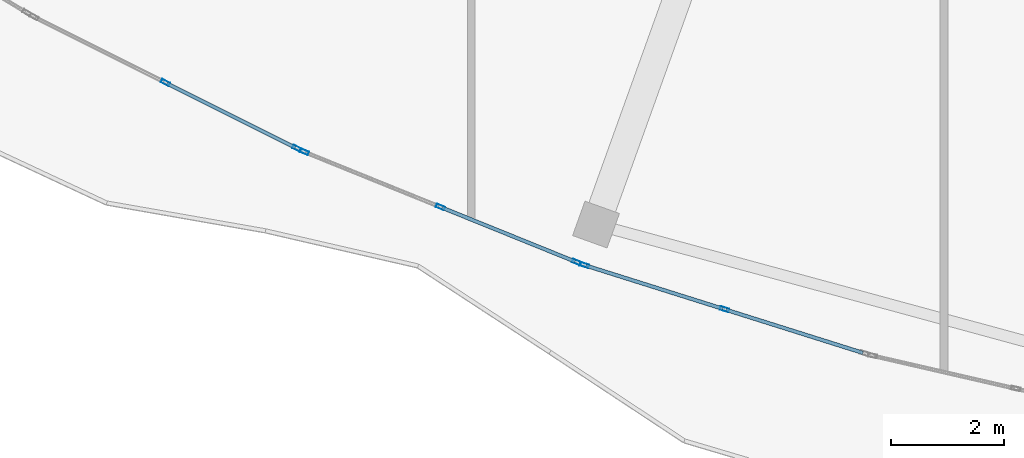
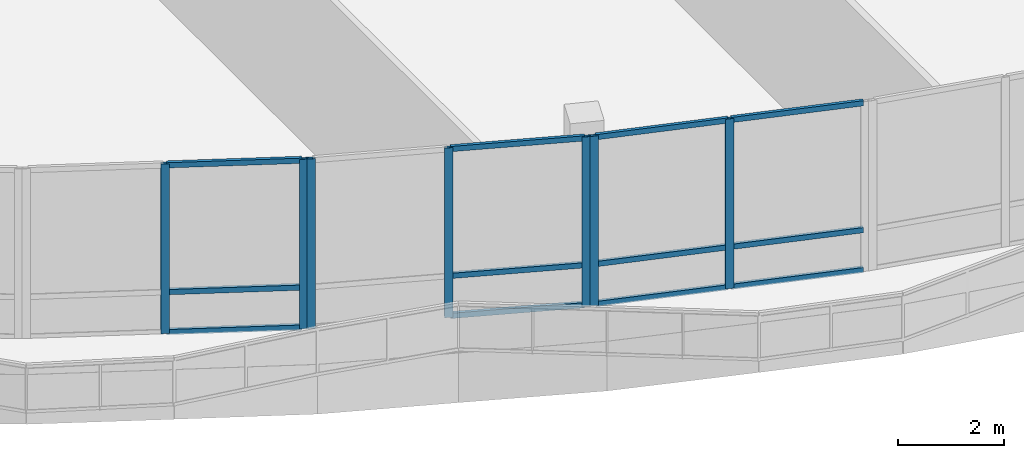
# One storey, part 13 of 184: 19 members, 3 elements without a shape of their own.
"""IFC4 building model written with IfcOpenShell, lengths in metres."""

from ifc_helpers import new_model, si_unit, direction, frame, origin, origin_2d, place, context, subcontext, project, spatial, hollow_rectangle, extrude, material, material_profile, profile_set, type_object, element, aggregate, save


model = new_model("IFC4")

# Units and contexts
model_context = context("Model", 3, precision=1e-05, world=origin(), true_north=direction((0.0, 1.0)))
body_context = subcontext(model_context, "Body", "Model", "MODEL_VIEW")
ifc_project = project(units=[si_unit("LENGTHUNIT", "METRE"), si_unit("AREAUNIT", "SQUARE_METRE"), si_unit("VOLUMEUNIT", "CUBIC_METRE"), si_unit("PLANEANGLEUNIT", "RADIAN"), si_unit("MASSUNIT", "GRAM", prefix="KILO")], contexts=[model_context])

# Site, building, storey
site_placement = place(None, origin())
site = spatial("IfcSite", under=ifc_project, at=site_placement, CompositionType="ELEMENT")
building_placement = place(site_placement, origin())
building = spatial("IfcBuilding", under=site, at=building_placement, Name="Selatvlak General Hospital", CompositionType="ELEMENT")
storey_placement = place(building_placement, frame((0.0, 0.0, 15.0)))
storey = spatial("IfcBuildingStorey", under=building, at=storey_placement, Name="L03", CompositionType="ELEMENT", Elevation=15.0)

# Curtain wall, members
ifc_material_1 = material(Name="Solar-control Low-E double glazing", Category="glass")
curtain_wall_type_1 = type_object("IfcCurtainWallType", Name="CW-CW-01", PredefinedType="USERDEFINED", material=ifc_material_1)
curtain_wall_1_placement = place(storey_placement, origin())
curtain_wall_1 = element("IfcCurtainWall", 1, at=curtain_wall_1_placement, inside=storey, type_object=curtain_wall_type_1, Name="Glazed facade curtain wall CW-L03-0431", ObjectType="UNITISED CURTAIN WALL", PredefinedType="USERDEFINED")
ifc_material_2 = material(Name="Dark anodised aluminium mullion", Category="aluminium")
ifc_material_profile_1 = material_profile(ifc_material_2, hollow_rectangle(XDim=0.06494140625, YDim=0.159912109375, WallThickness=0.00390625, at=origin_2d()), Name="AL-MUL 65x160x4")
ifc_profile_set_1 = profile_set([ifc_material_profile_1], Name="Dark anodised aluminium mullion")
member_type_1 = type_object("IfcMemberType", Name="CWM-01", PredefinedType="MULLION", material=ifc_profile_set_1)
member_1_placement = place(storey_placement, frame((35.700439453125, 15.180908203125, 0.0), z_axis=(0.0, 0.0, 1.0), x_axis=(-0.30046120424, -0.953794036858, 0.0)))
member_1 = element("IfcMember", 2, at=member_1_placement, type_object=member_type_1, Name="CW-01 mullion 2", PredefinedType="MULLION", context=body_context, shape_type="SweptSolid", body=[
    extrude(hollow_rectangle(XDim=0.06494140625, YDim=0.159912109375, WallThickness=0.00390625, at=origin_2d()), origin(), (0.0, 0.0, 1.0), 3.89501953125),
])
member_2_placement = place(storey_placement, frame((33.2109375, 15.96533203125, 0.0), z_axis=(0.0, 0.0, 1.0), x_axis=(-0.30046120424, -0.953794036858, 0.0)))
member_2 = element("IfcMember", 3, at=member_2_placement, type_object=member_type_1, Name="CW-01 mullion 3", PredefinedType="MULLION", context=body_context, shape_type="SweptSolid", body=[
    extrude(hollow_rectangle(XDim=0.06494140625, YDim=0.159912109375, WallThickness=0.00390625, at=origin_2d()), origin(), (0.0, 0.0, 1.0), 3.89501953125),
])

curtain_wall_type_2 = type_object("IfcCurtainWallType", Name="CW-CW-02", PredefinedType="USERDEFINED", material=ifc_material_1)
curtain_wall_2_placement = place(storey_placement, origin())
curtain_wall_2 = element("IfcCurtainWall", 4, at=curtain_wall_2_placement, inside=storey, type_object=curtain_wall_type_2, Name="Glazed facade curtain wall CW-L03-0432", ObjectType="UNITISED CURTAIN WALL", PredefinedType="USERDEFINED")
member_3_placement = place(storey_placement, frame((33.075927734375, 16.01708984375, 0.0), z_axis=(0.0, 0.0, 1.0), x_axis=(-0.375301112069, -0.926902948145, 0.0)))
member_3 = element("IfcMember", 5, at=member_3_placement, type_object=member_type_1, Name="CW-02 mullion 1", PredefinedType="MULLION", context=body_context, shape_type="SweptSolid", body=[
    extrude(hollow_rectangle(XDim=0.06494140625, YDim=0.159912109375, WallThickness=0.00390625, at=origin_2d()), origin(), (0.0, 0.0, 1.0), 3.89501953125),
])
member_4_placement = place(storey_placement, frame((30.656005859375, 16.9970703125, 0.0), z_axis=(0.0, 0.0, 1.0), x_axis=(-0.375301112069, -0.926902948145, 0.0)))
member_4 = element("IfcMember", 6, at=member_4_placement, type_object=member_type_1, Name="CW-02 mullion 2", PredefinedType="MULLION", context=body_context, shape_type="SweptSolid", body=[
    extrude(hollow_rectangle(XDim=0.06494140625, YDim=0.159912109375, WallThickness=0.00390625, at=origin_2d()), origin(), (0.0, 0.0, 1.0), 3.89501953125),
])
member_5_placement = place(storey_placement, frame((28.236083984375, 17.976806640625, 0.0), z_axis=(0.0, 0.0, 1.0), x_axis=(-0.375301112069, -0.926902948145, 0.0)))
member_5 = element("IfcMember", 7, at=member_5_placement, type_object=member_type_1, Name="CW-02 mullion 3", PredefinedType="MULLION", context=body_context, shape_type="SweptSolid", body=[
    extrude(hollow_rectangle(XDim=0.06494140625, YDim=0.159912109375, WallThickness=0.00390625, at=origin_2d()), origin(), (0.0, 0.0, 1.0), 3.89501953125),
])

curtain_wall_3_placement = place(storey_placement, origin())
curtain_wall_3 = element("IfcCurtainWall", 8, at=curtain_wall_3_placement, inside=storey, type_object=curtain_wall_type_1, Name="Glazed facade curtain wall CW-L03-0433", ObjectType="UNITISED CURTAIN WALL", PredefinedType="USERDEFINED")
member_6_placement = place(storey_placement, frame((28.10498046875, 18.03857421875, 0.0), z_axis=(0.0, 0.0, 1.0), x_axis=(-0.44759190875, -0.894237934345, 0.0)))
member_6 = element("IfcMember", 9, at=member_6_placement, type_object=member_type_1, Name="CW-01 mullion 1", PredefinedType="MULLION", context=body_context, shape_type="SweptSolid", body=[
    extrude(hollow_rectangle(XDim=0.06494140625, YDim=0.159912109375, WallThickness=0.00390625, at=origin_2d()), origin(), (0.0, 0.0, 1.0), 3.89501953125),
])
member_7_placement = place(storey_placement, frame((25.7705078125, 19.20703125, 0.0), z_axis=(0.0, 0.0, 1.0), x_axis=(-0.44759190875, -0.894237934345, 0.0)))
member_7 = element("IfcMember", 10, at=member_7_placement, type_object=member_type_1, Name="CW-01 mullion 2", PredefinedType="MULLION", context=body_context, shape_type="SweptSolid", body=[
    extrude(hollow_rectangle(XDim=0.06494140625, YDim=0.159912109375, WallThickness=0.00390625, at=origin_2d()), origin(), (0.0, 0.0, 1.0), 3.89501953125),
])

# Member
ifc_material_profile_2 = material_profile(ifc_material_2, hollow_rectangle(XDim=0.06494140625, YDim=0.1201171875, WallThickness=0.00390625, at=origin_2d()), Name="AL-TRN 65x120x4")
ifc_profile_set_2 = profile_set([ifc_material_profile_2], Name="Dark anodised aluminium mullion")
member_type_2 = type_object("IfcMemberType", Name="CWT-01", PredefinedType="USERDEFINED", material=ifc_profile_set_2)
member_8_placement = place(storey_placement, frame((38.158935546875, 14.406494140625, 0.032470703125), z_axis=(-0.953799882709, 0.300442646349, 0.0), x_axis=(-0.300442646349, -0.953799882709, 0.0)))
member_8 = element("IfcMember", 11, at=member_8_placement, type_object=member_type_2, Name="CW-01 transom 1.1", ObjectType="TRANSOM", PredefinedType="USERDEFINED", context=body_context, shape_type="SweptSolid", body=[
    extrude(hollow_rectangle(XDim=0.06494140625, YDim=0.1201171875, WallThickness=0.00390625, at=origin_2d()), origin(), (0.0, 0.0, 1.0), 2.545166015625),
])

member_9_placement = place(storey_placement, frame((38.158935546875, 14.406494140625, 0.949951171875), z_axis=(-0.953799882709, 0.300442646349, 0.0), x_axis=(-0.300442646349, -0.953799882709, 0.0)))
member_9 = element("IfcMember", 12, at=member_9_placement, type_object=member_type_2, Name="CW-01 transom 1.2", ObjectType="TRANSOM", PredefinedType="USERDEFINED", context=body_context, shape_type="SweptSolid", body=[
    extrude(hollow_rectangle(XDim=0.06494140625, YDim=0.1201171875, WallThickness=0.00390625, at=origin_2d()), origin(), (0.0, 0.0, 1.0), 2.545166015625),
])

member_10_placement = place(storey_placement, frame((38.158935546875, 14.406494140625, 3.862548828125), z_axis=(-0.953799882709, 0.300442646349, 0.0), x_axis=(-0.300442646349, -0.953799882709, 0.0)))
member_10 = element("IfcMember", 13, at=member_10_placement, type_object=member_type_2, Name="CW-01 transom 1.3", ObjectType="TRANSOM", PredefinedType="USERDEFINED", context=body_context, shape_type="SweptSolid", body=[
    extrude(hollow_rectangle(XDim=0.06494140625, YDim=0.1201171875, WallThickness=0.00390625, at=origin_2d()), origin(), (0.0, 0.0, 1.0), 2.545166015625),
])

member_11_placement = place(storey_placement, frame((35.66943359375, 15.190673828125, 0.032470703125), z_axis=(-0.953772390526, 0.300529910441, 0.0), x_axis=(-0.300529910441, -0.953772390526, 0.0)))
member_11 = element("IfcMember", 14, at=member_11_placement, type_object=member_type_2, Name="CW-01 transom 2.1", ObjectType="TRANSOM", PredefinedType="USERDEFINED", context=body_context, shape_type="SweptSolid", body=[
    extrude(hollow_rectangle(XDim=0.06494140625, YDim=0.1201171875, WallThickness=0.00390625, at=origin_2d()), origin(), (0.0, 0.0, 1.0), 2.545166015625),
])

member_12_placement = place(storey_placement, frame((35.66943359375, 15.190673828125, 0.949951171875), z_axis=(-0.953772390526, 0.300529910441, 0.0), x_axis=(-0.300529910441, -0.953772390526, 0.0)))
member_12 = element("IfcMember", 15, at=member_12_placement, type_object=member_type_2, Name="CW-01 transom 2.2", ObjectType="TRANSOM", PredefinedType="USERDEFINED", context=body_context, shape_type="SweptSolid", body=[
    extrude(hollow_rectangle(XDim=0.06494140625, YDim=0.1201171875, WallThickness=0.00390625, at=origin_2d()), origin(), (0.0, 0.0, 1.0), 2.545166015625),
])

member_13_placement = place(storey_placement, frame((35.66943359375, 15.190673828125, 3.862548828125), z_axis=(-0.953772390526, 0.300529910441, 0.0), x_axis=(-0.300529910441, -0.953772390526, 0.0)))
member_13 = element("IfcMember", 16, at=member_13_placement, type_object=member_type_2, Name="CW-01 transom 2.3", ObjectType="TRANSOM", PredefinedType="USERDEFINED", context=body_context, shape_type="SweptSolid", body=[
    extrude(hollow_rectangle(XDim=0.06494140625, YDim=0.1201171875, WallThickness=0.00390625, at=origin_2d()), origin(), (0.0, 0.0, 1.0), 2.545166015625),
])

aggregate(curtain_wall_1, [member_1, member_2, member_8, member_9, member_10, member_11, member_12, member_13])

member_14_placement = place(storey_placement, frame((33.045654296875, 16.029296875, 0.032470703125), z_axis=(-0.926880887581, 0.375355591722, 0.0), x_axis=(-0.375355591722, -0.926880887581, 0.0)))
member_14 = element("IfcMember", 17, at=member_14_placement, type_object=member_type_2, Name="CW-02 transom 1.1", ObjectType="TRANSOM", PredefinedType="USERDEFINED", context=body_context, shape_type="SweptSolid", body=[
    extrude(hollow_rectangle(XDim=0.06494140625, YDim=0.1201171875, WallThickness=0.00390625, at=origin_2d()), origin(), (0.0, 0.0, 1.0), 2.545654296875),
])

member_15_placement = place(storey_placement, frame((33.045654296875, 16.029296875, 0.949951171875), z_axis=(-0.926880887581, 0.375355591722, 0.0), x_axis=(-0.375355591722, -0.926880887581, 0.0)))
member_15 = element("IfcMember", 18, at=member_15_placement, type_object=member_type_2, Name="CW-02 transom 1.2", ObjectType="TRANSOM", PredefinedType="USERDEFINED", context=body_context, shape_type="SweptSolid", body=[
    extrude(hollow_rectangle(XDim=0.06494140625, YDim=0.1201171875, WallThickness=0.00390625, at=origin_2d()), origin(), (0.0, 0.0, 1.0), 2.545654296875),
])

member_16_placement = place(storey_placement, frame((33.045654296875, 16.029296875, 3.862548828125), z_axis=(-0.926880887581, 0.375355591722, 0.0), x_axis=(-0.375355591722, -0.926880887581, 0.0)))
member_16 = element("IfcMember", 19, at=member_16_placement, type_object=member_type_2, Name="CW-02 transom 1.3", ObjectType="TRANSOM", PredefinedType="USERDEFINED", context=body_context, shape_type="SweptSolid", body=[
    extrude(hollow_rectangle(XDim=0.06494140625, YDim=0.1201171875, WallThickness=0.00390625, at=origin_2d()), origin(), (0.0, 0.0, 1.0), 2.545654296875),
])

aggregate(curtain_wall_2, [member_3, member_4, member_5, member_14, member_15, member_16])

member_17_placement = place(storey_placement, frame((28.075927734375, 18.052978515625, 0.032470703125), z_axis=(-0.894235295067, 0.44759718169, 0.0), x_axis=(-0.44759718169, -0.894235295067, 0.0)))
member_17 = element("IfcMember", 20, at=member_17_placement, type_object=member_type_2, Name="CW-01 transom 1.1", ObjectType="TRANSOM", PredefinedType="USERDEFINED", context=body_context, shape_type="SweptSolid", body=[
    extrude(hollow_rectangle(XDim=0.06494140625, YDim=0.1201171875, WallThickness=0.00390625, at=origin_2d()), origin(), (0.0, 0.0, 1.0), 2.545654296875),
])

member_18_placement = place(storey_placement, frame((28.075927734375, 18.052978515625, 0.949951171875), z_axis=(-0.894235295067, 0.44759718169, 0.0), x_axis=(-0.44759718169, -0.894235295067, 0.0)))
member_18 = element("IfcMember", 21, at=member_18_placement, type_object=member_type_2, Name="CW-01 transom 1.2", ObjectType="TRANSOM", PredefinedType="USERDEFINED", context=body_context, shape_type="SweptSolid", body=[
    extrude(hollow_rectangle(XDim=0.06494140625, YDim=0.1201171875, WallThickness=0.00390625, at=origin_2d()), origin(), (0.0, 0.0, 1.0), 2.545654296875),
])

member_19_placement = place(storey_placement, frame((28.075927734375, 18.052978515625, 3.862548828125), z_axis=(-0.894235295067, 0.44759718169, 0.0), x_axis=(-0.44759718169, -0.894235295067, 0.0)))
member_19 = element("IfcMember", 22, at=member_19_placement, type_object=member_type_2, Name="CW-01 transom 1.3", ObjectType="TRANSOM", PredefinedType="USERDEFINED", context=body_context, shape_type="SweptSolid", body=[
    extrude(hollow_rectangle(XDim=0.06494140625, YDim=0.1201171875, WallThickness=0.00390625, at=origin_2d()), origin(), (0.0, 0.0, 1.0), 2.545654296875),
])

aggregate(curtain_wall_3, [member_6, member_7, member_17, member_18, member_19])

save(model, "model.ifc")
